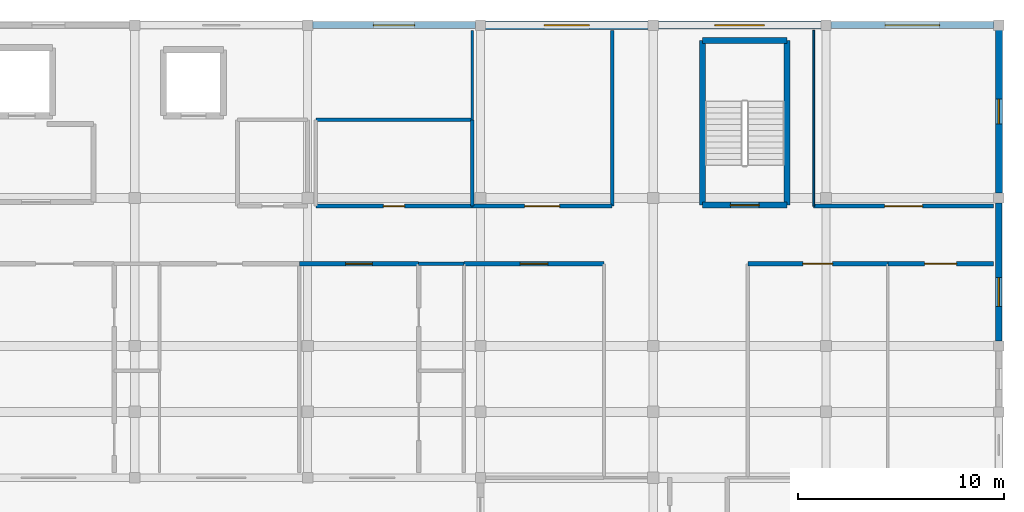
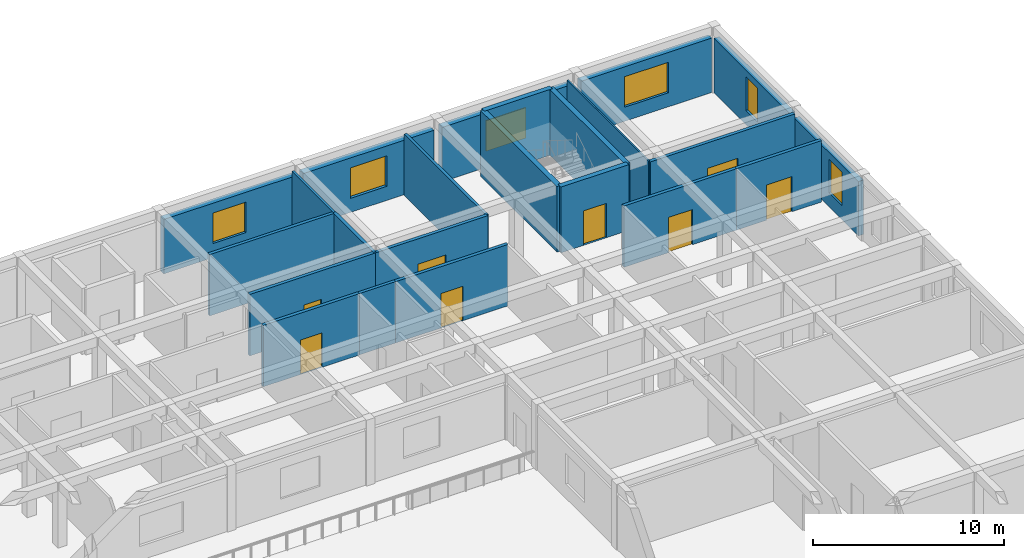
# One storey, part 20 of 28: 23 walls, 8 doors, 6 windows, 14 openings.
"""IFC4 building model written with IfcOpenShell, lengths in metres."""

from ifc_helpers import new_model, si_unit, direction, frame, frame_2d, origin, place, context, subcontext, project, spatial, rectangle, extrude, material, layer, layer_set, type_object, element, fill, save


model = new_model("IFC4")

# Units and contexts
model_context = context("Model", 3, precision=1e-05, world=origin(), true_north=direction((0.0, 1.0)))
body_context = subcontext(model_context, "Body", "Model", "MODEL_VIEW")
ifc_project = project(units=[si_unit("LENGTHUNIT", "METRE"), si_unit("AREAUNIT", "SQUARE_METRE"), si_unit("VOLUMEUNIT", "CUBIC_METRE"), si_unit("PLANEANGLEUNIT", "RADIAN"), si_unit("MASSUNIT", "GRAM", prefix="KILO")], contexts=[model_context])

# Site, building, storey
site_placement = place(None, origin())
site = spatial("IfcSite", under=ifc_project, at=site_placement, CompositionType="ELEMENT")
building_placement = place(site_placement, origin())
building = spatial("IfcBuilding", under=site, at=building_placement, Name="Varncliffe General Hospital", CompositionType="ELEMENT")
storey_placement = place(building_placement, frame((0.0, 0.0, 24.60009765625)))
storey = spatial("IfcBuildingStorey", under=building, at=storey_placement, Name="L05", CompositionType="ELEMENT", Elevation=24.60009765625)

# Wall, opening, window
ifc_material_1 = material(Name="Precast concrete C40/50 with insulated cream lime-cement stucco", Category="concrete")
ifc_layer_1 = layer(ifc_material_1, 0.31005859375)
ifc_layer_set_1 = layer_set([ifc_layer_1], Name="Precast concrete C40/50 with insulated cream lime-cement stucco")
wall_type_1 = type_object("IfcWallType", Name="Exterior Insulated Stucco Wall EW20 (310mm)", PredefinedType="SOLIDWALL", material=ifc_layer_set_1)
wall_1_placement = place(storey_placement, frame((176.39990234375, 116.152099609375, 0.0), z_axis=(0.0, 0.0, 1.0), x_axis=(0.0, -1.0, 0.0)))
wall_1 = element("IfcWall", 1, at=wall_1_placement, inside=storey, type_object=wall_type_1, Name="L05 Exterior Stucco Wall EW20-448", PredefinedType="SOLIDWALL", context=body_context, shape_type="SweptSolid", body=[
    extrude(rectangle(XDim=6.7041015625, YDim=0.31005859375, at=frame_2d((3.35205078125, 0.0))), origin(), (0.0, 0.0, 1.0), 3.47998046875),
])
opening_1_placement = place(wall_1_placement, frame((3.620849609375, 0.0, 0.89990234375)))
opening_1 = element("IfcOpeningElement", 2, at=opening_1_placement, cuts=wall_1, Name="Opening WN11", PredefinedType="OPENING", context=body_context, shape_type="SweptSolid", body=[
    extrude(rectangle(XDim=1.39990234375, YDim=2.14990234375, at=frame_2d((0.699951171875, 1.074951171875))), frame((0.0, 0.1650390625, 0.0), z_axis=(0.0, -1.0, 0.0), x_axis=(1.0, 0.0, 0.0)), (0.0, 0.0, 1.0), 0.330078125),
])
ifc_material_2 = material(Name="Triple low-E argon insulated vision glazing", Category="glass")
window_type_1 = type_object("IfcWindowType", Name="Triple-Glazed Hospital Window WN11 (1400x2150)", PartitioningType="SINGLE_PANEL", PredefinedType="WINDOW", material=ifc_material_2)
window_1_placement = place(opening_1_placement, origin())
window_1 = element("IfcWindow", 3, at=window_1_placement, inside=storey, type_object=window_type_1, Name="L05 Hospital Window WN11-342", OverallHeight=2.14990234375, OverallWidth=1.39990234375, PartitioningType="SINGLE_PANEL", PredefinedType="WINDOW", context=body_context, shape_type="SweptSolid", body=[
    extrude(rectangle(XDim=1.39990234375, YDim=2.14990234375, at=frame_2d((0.699951171875, 1.074951171875))), frame((0.0, 0.030029296875, 0.0), z_axis=(0.0, -1.0, 0.0), x_axis=(1.0, 0.0, 0.0)), (0.0, 0.0, 1.0), 0.06005859375),
])
fill(opening_1, window_1)

ifc_layer_2 = layer(ifc_material_1, 0.3798828125)
ifc_layer_set_2 = layer_set([ifc_layer_2], Name="Precast concrete C40/50 with insulated cream lime-cement stucco")
wall_type_2 = type_object("IfcWallType", Name="Exterior Insulated Stucco Wall EW26 (380mm)", PredefinedType="SOLIDWALL", material=ifc_layer_set_2)
wall_2_placement = place(storey_placement, frame((159.847900390625, 124.800048828125, 0.0), z_axis=(0.0, 0.0, 1.0), x_axis=(1.0, 0.0, 0.0)))
wall_2 = element("IfcWall", 4, at=wall_2_placement, inside=storey, type_object=wall_type_2, Name="L05 Exterior Stucco Wall EW26-445", PredefinedType="SOLIDWALL", context=body_context, shape_type="SweptSolid", body=[
    extrude(rectangle(XDim=7.904052734375, YDim=0.3798828125, at=frame_2d((3.9521484375, 0.0))), origin(), (0.0, 0.0, 1.0), 3.47998046875),
])
opening_2_placement = place(wall_2_placement, frame((2.751953125, 0.0, 0.89990234375)))
opening_2 = element("IfcOpeningElement", 5, at=opening_2_placement, cuts=wall_2, Name="Opening WN16", PredefinedType="OPENING", context=body_context, shape_type="SweptSolid", body=[
    extrude(rectangle(XDim=2.39990234375, YDim=1.949951171875, at=frame_2d((1.199951171875, 0.97509765625))), frame((0.0, 0.199951171875, 0.0), z_axis=(0.0, -1.0, 0.0), x_axis=(1.0, 0.0, 0.0)), (0.0, 0.0, 1.0), 0.39990234375),
])
window_type_2 = type_object("IfcWindowType", Name="Triple-Glazed Hospital Window WN16 (2400x1950)", PartitioningType="DOUBLE_PANEL_VERTICAL", PredefinedType="WINDOW", material=ifc_material_2)
window_2_placement = place(opening_2_placement, origin())
window_2 = element("IfcWindow", 6, at=window_2_placement, inside=storey, type_object=window_type_2, Name="L05 Hospital Window WN16-339", OverallHeight=1.949951171875, OverallWidth=2.39990234375, PartitioningType="DOUBLE_PANEL_VERTICAL", PredefinedType="WINDOW", context=body_context, shape_type="SweptSolid", body=[
    extrude(rectangle(XDim=2.39990234375, YDim=1.949951171875, at=frame_2d((1.199951171875, 0.97509765625))), frame((0.0, 0.030029296875, 0.0), z_axis=(0.0, -1.0, 0.0), x_axis=(1.0, 0.0, 0.0)), (0.0, 0.0, 1.0), 0.06005859375),
])
fill(opening_2, window_2)

ifc_layer_3 = layer(ifc_material_1, 0.330078125)
ifc_layer_set_3 = layer_set([ifc_layer_3], Name="Precast concrete C40/50 with insulated cream lime-cement stucco")
wall_type_3 = type_object("IfcWallType", Name="Exterior Insulated Stucco Wall EW33 (330mm)", PredefinedType="SOLIDWALL", material=ifc_layer_set_3)
wall_3_placement = place(storey_placement, frame((176.39990234375, 124.552001953125, 0.0), z_axis=(0.0, 0.0, 1.0), x_axis=(0.0, -1.0, 0.0)))
wall_3 = element("IfcWall", 7, at=wall_3_placement, inside=storey, type_object=wall_type_3, Name="L05 Exterior Stucco Wall EW33-447", PredefinedType="SOLIDWALL", context=body_context, shape_type="SweptSolid", body=[
    extrude(rectangle(XDim=7.904052734375, YDim=0.330078125, at=frame_2d((3.9521484375, 0.0))), origin(), (0.0, 0.0, 1.0), 3.47998046875),
])
opening_3_placement = place(wall_3_placement, frame((3.35205078125, 0.0, 0.89990234375)))
opening_3 = element("IfcOpeningElement", 8, at=opening_3_placement, cuts=wall_3, Name="Opening WN36", PredefinedType="OPENING", context=body_context, shape_type="SweptSolid", body=[
    extrude(rectangle(XDim=1.199951171875, YDim=2.14990234375, at=frame_2d((0.60009765625, 1.074951171875))), frame((0.0, 0.175048828125, 0.0), z_axis=(0.0, -1.0, 0.0), x_axis=(1.0, 0.0, 0.0)), (0.0, 0.0, 1.0), 0.35009765625),
])
window_type_3 = type_object("IfcWindowType", Name="Triple-Glazed Hospital Window WN36 (1200x2150)", PartitioningType="SINGLE_PANEL", PredefinedType="WINDOW", material=ifc_material_2)
window_3_placement = place(opening_3_placement, origin())
window_3 = element("IfcWindow", 9, at=window_3_placement, inside=storey, type_object=window_type_3, Name="L05 Hospital Window WN36-341", OverallHeight=2.14990234375, OverallWidth=1.199951171875, PartitioningType="SINGLE_PANEL", PredefinedType="WINDOW", context=body_context, shape_type="SweptSolid", body=[
    extrude(rectangle(XDim=1.199951171875, YDim=2.14990234375, at=frame_2d((0.60009765625, 1.074951171875))), frame((0.0, 0.030029296875, 0.0), z_axis=(0.0, -1.0, 0.0), x_axis=(1.0, 0.0, 0.0)), (0.0, 0.0, 1.0), 0.06005859375),
])
fill(opening_3, window_3)

ifc_layer_4 = layer(ifc_material_1, 0.35009765625)
ifc_layer_set_4 = layer_set([ifc_layer_4], Name="Precast concrete C40/50 with insulated cream lime-cement stucco")
wall_type_4 = type_object("IfcWallType", Name="Exterior Insulated Stucco Wall EW37 (350mm)", PredefinedType="SOLIDWALL", material=ifc_layer_set_4)
wall_4_placement = place(storey_placement, frame((143.048095703125, 124.800048828125, 0.0), z_axis=(0.0, 0.0, 1.0), x_axis=(1.0, 0.0, 0.0)))
wall_4 = element("IfcWall", 10, at=wall_4_placement, inside=storey, type_object=wall_type_4, Name="L05 Exterior Stucco Wall EW37-443", PredefinedType="SOLIDWALL", context=body_context, shape_type="SweptSolid", body=[
    extrude(rectangle(XDim=7.90380859375, YDim=0.35009765625, at=frame_2d((3.951904296875, 0.0))), origin(), (0.0, 0.0, 1.0), 3.47998046875),
])
opening_4_placement = place(wall_4_placement, frame((2.951904296875, 0.0, 0.89990234375)))
opening_4 = element("IfcOpeningElement", 11, at=opening_4_placement, cuts=wall_4, Name="Opening WN79", PredefinedType="OPENING", context=body_context, shape_type="SweptSolid", body=[
    extrude(rectangle(XDim=2.0, YDim=1.949951171875, at=frame_2d((1.0, 0.97509765625))), frame((0.0, 0.18505859375, 0.0), z_axis=(0.0, -1.0, 0.0), x_axis=(1.0, 0.0, 0.0)), (0.0, 0.0, 1.0), 0.3701171875),
])
window_type_4 = type_object("IfcWindowType", Name="Triple-Glazed Hospital Window WN79 (2000x1950)", PartitioningType="DOUBLE_PANEL_VERTICAL", PredefinedType="WINDOW", material=ifc_material_2)
window_4_placement = place(opening_4_placement, origin())
window_4 = element("IfcWindow", 12, at=window_4_placement, inside=storey, type_object=window_type_4, Name="L05 Hospital Window WN79-337", OverallHeight=1.949951171875, OverallWidth=2.0, PartitioningType="DOUBLE_PANEL_VERTICAL", PredefinedType="WINDOW", context=body_context, shape_type="SweptSolid", body=[
    extrude(rectangle(XDim=2.0, YDim=1.949951171875, at=frame_2d((1.0, 0.97509765625))), frame((0.0, 0.030029296875, 0.0), z_axis=(0.0, -1.0, 0.0), x_axis=(1.0, 0.0, 0.0)), (0.0, 0.0, 1.0), 0.06005859375),
])
fill(opening_4, window_4)

wall_5_placement = place(storey_placement, frame((168.248046875, 124.800048828125, 0.0), z_axis=(0.0, 0.0, 1.0), x_axis=(1.0, 0.0, 0.0)))
wall_5 = element("IfcWall", 13, at=wall_5_placement, inside=storey, type_object=wall_type_4, Name="L05 Exterior Stucco Wall EW37-446", PredefinedType="SOLIDWALL", context=body_context, shape_type="SweptSolid", body=[
    extrude(rectangle(XDim=7.904052734375, YDim=0.35009765625, at=frame_2d((3.9521484375, 0.0))), origin(), (0.0, 0.0, 1.0), 3.47998046875),
])
opening_5_placement = place(wall_5_placement, frame((2.626953125, 0.0, 0.89990234375)))
opening_5 = element("IfcOpeningElement", 14, at=opening_5_placement, cuts=wall_5, Name="Opening WN30", PredefinedType="OPENING", context=body_context, shape_type="SweptSolid", body=[
    extrude(rectangle(XDim=2.64990234375, YDim=1.949951171875, at=frame_2d((1.324951171875, 0.97509765625))), frame((0.0, 0.18505859375, 0.0), z_axis=(0.0, -1.0, 0.0), x_axis=(1.0, 0.0, 0.0)), (0.0, 0.0, 1.0), 0.3701171875),
])
window_type_5 = type_object("IfcWindowType", Name="Triple-Glazed Hospital Window WN30 (2650x1950)", PartitioningType="DOUBLE_PANEL_VERTICAL", PredefinedType="WINDOW", material=ifc_material_2)
window_5_placement = place(opening_5_placement, origin())
window_5 = element("IfcWindow", 15, at=window_5_placement, inside=storey, type_object=window_type_5, Name="L05 Hospital Window WN30-340", OverallHeight=1.949951171875, OverallWidth=2.64990234375, PartitioningType="DOUBLE_PANEL_VERTICAL", PredefinedType="WINDOW", context=body_context, shape_type="SweptSolid", body=[
    extrude(rectangle(XDim=2.64990234375, YDim=1.949951171875, at=frame_2d((1.324951171875, 0.97509765625))), frame((0.0, 0.030029296875, 0.0), z_axis=(0.0, -1.0, 0.0), x_axis=(1.0, 0.0, 0.0)), (0.0, 0.0, 1.0), 0.06005859375),
])
fill(opening_5, window_5)

ifc_layer_5 = layer(ifc_material_1, 0.39990234375)
ifc_layer_set_5 = layer_set([ifc_layer_5], Name="Precast concrete C40/50 with insulated cream lime-cement stucco")
wall_type_5 = type_object("IfcWallType", Name="Exterior Insulated Stucco Wall EW47 (400mm)", PredefinedType="SOLIDWALL", material=ifc_layer_set_5)
wall_6_placement = place(storey_placement, frame((151.447998046875, 124.800048828125, 0.0), z_axis=(0.0, 0.0, 1.0), x_axis=(1.0, 0.0, 0.0)))
wall_6 = element("IfcWall", 16, at=wall_6_placement, inside=storey, type_object=wall_type_5, Name="L05 Exterior Stucco Wall EW47-444", PredefinedType="SOLIDWALL", context=body_context, shape_type="SweptSolid", body=[
    extrude(rectangle(XDim=7.904052734375, YDim=0.39990234375, at=frame_2d((3.9521484375, 0.0))), origin(), (0.0, 0.0, 1.0), 3.47998046875),
])
opening_6_placement = place(wall_6_placement, frame((2.85205078125, 0.0, 0.89990234375)))
opening_6 = element("IfcOpeningElement", 17, at=opening_6_placement, cuts=wall_6, Name="Opening WN35", PredefinedType="OPENING", context=body_context, shape_type="SweptSolid", body=[
    extrude(rectangle(XDim=2.199951171875, YDim=1.949951171875, at=frame_2d((1.10009765625, 0.97509765625))), frame((0.0, 0.2099609375, 0.0), z_axis=(0.0, -1.0, 0.0), x_axis=(1.0, 0.0, 0.0)), (0.0, 0.0, 1.0), 0.419921875),
])
window_type_6 = type_object("IfcWindowType", Name="Triple-Glazed Hospital Window WN35 (2200x1950)", PartitioningType="DOUBLE_PANEL_VERTICAL", PredefinedType="WINDOW", material=ifc_material_2)
window_6_placement = place(opening_6_placement, origin())
window_6 = element("IfcWindow", 18, at=window_6_placement, inside=storey, type_object=window_type_6, Name="L05 Hospital Window WN35-338", OverallHeight=1.949951171875, OverallWidth=2.199951171875, PartitioningType="DOUBLE_PANEL_VERTICAL", PredefinedType="WINDOW", context=body_context, shape_type="SweptSolid", body=[
    extrude(rectangle(XDim=2.199951171875, YDim=1.949951171875, at=frame_2d((1.10009765625, 0.97509765625))), frame((0.0, 0.030029296875, 0.0), z_axis=(0.0, -1.0, 0.0), x_axis=(1.0, 0.0, 0.0)), (0.0, 0.0, 1.0), 0.06005859375),
])
fill(opening_6, window_6)

# Walls
ifc_material_3 = material(Name="Acoustic clinical gypsum stud partition assembly", Category="gypsum")
ifc_layer_6 = layer(ifc_material_3, 0.1298828125)
ifc_layer_set_6 = layer_set([ifc_layer_6], Name="Acoustic clinical gypsum stud partition assembly")
wall_type_6 = type_object("IfcWallType", Name="Interior Partitioning IW11 (130mm)", PredefinedType="PARTITIONING", material=ifc_layer_set_6)
wall_7_placement = place(storey_placement, frame((150.800048828125, 120.199951171875, 0.0), z_axis=(0.0, 0.0, 1.0), x_axis=(0.0, 1.0, 0.0)))
element("IfcWall", 19, at=wall_7_placement, inside=storey, type_object=wall_type_6, Name="L05 Interior Partition Wall IW11-2163", PredefinedType="PARTITIONING", context=body_context, shape_type="SweptSolid", body=[
    extrude(rectangle(XDim=4.340087890625, YDim=0.1298828125, at=frame_2d((2.169921875, 0.0))), origin(), (0.0, 0.0, 1.0), 3.919921875),
])
ifc_layer_7 = layer(ifc_material_3, 0.169921875)
ifc_layer_set_7 = layer_set([ifc_layer_7], Name="Acoustic clinical gypsum stud partition assembly")
wall_type_7 = type_object("IfcWallType", Name="Interior Partitioning IW20 (170mm)", PredefinedType="PARTITIONING", material=ifc_layer_set_7)
wall_8_placement = place(storey_placement, frame((157.60009765625, 116.0, 0.0), z_axis=(0.0, 0.0, 1.0), x_axis=(0.0, 1.0, 0.0)))
element("IfcWall", 20, at=wall_8_placement, inside=storey, type_object=wall_type_7, Name="L05 Interior Partition Wall IW20-2165", PredefinedType="PARTITIONING", context=body_context, shape_type="SweptSolid", body=[
    extrude(rectangle(XDim=8.5400390625, YDim=0.169921875, at=frame_2d((4.27001953125, 0.0))), origin(), (0.0, 0.0, 1.0), 3.919921875),
])
ifc_layer_8 = layer(ifc_material_3, 0.090087890625)
ifc_layer_set_8 = layer_set([ifc_layer_8], Name="Acoustic clinical gypsum stud partition assembly")
wall_type_8 = type_object("IfcWallType", Name="Interior Partitioning IW42 (90mm)", PredefinedType="PARTITIONING", material=ifc_layer_set_8)
wall_9_placement = place(storey_placement, frame((167.39990234375, 116.0, 0.0), z_axis=(0.0, 0.0, 1.0), x_axis=(0.0, 1.0, 0.0)))
element("IfcWall", 21, at=wall_9_placement, inside=storey, type_object=wall_type_8, Name="L05 Interior Partition Wall IW42-2191", PredefinedType="PARTITIONING", context=body_context, shape_type="SweptSolid", body=[
    extrude(rectangle(XDim=8.5400390625, YDim=0.090087890625, at=frame_2d((4.27001953125, 0.0))), origin(), (0.0, 0.0, 1.0), 3.919921875),
])

# Wall, opening, door
ifc_material_4 = material(Name="Fire-rated gypsum and mineral-wool partition assembly", Category="gypsum")
ifc_layer_9 = layer(ifc_material_4, 0.199951171875)
ifc_layer_set_9 = layer_set([ifc_layer_9], Name="Fire-rated gypsum and mineral-wool partition assembly")
wall_type_9 = type_object("IfcWallType", Name="Interior Partitioning PW63 (200mm)", PredefinedType="PARTITIONING", material=ifc_layer_set_9)
wall_10_placement = place(storey_placement, frame((142.39990234375, 113.199951171875, 0.0), z_axis=(0.0, 0.0, 1.0), x_axis=(1.0, 0.0, 0.0)))
wall_10 = element("IfcWall", 22, at=wall_10_placement, inside=storey, type_object=wall_type_9, Name="L05 Interior Partition Wall PW63-2065", PredefinedType="PARTITIONING", context=body_context, shape_type="SweptSolid", body=[
    extrude(rectangle(XDim=5.800048828125, YDim=0.199951171875, at=frame_2d((2.89990234375, 0.0))), origin(), (0.0, 0.0, 1.0), 3.919921875),
])
opening_7_placement = place(wall_10_placement, frame((2.25, 0.0, 0.0)))
opening_7 = element("IfcOpeningElement", 23, at=opening_7_placement, cuts=wall_10, Name="Opening DC88", PredefinedType="OPENING", context=body_context, shape_type="SweptSolid", body=[
    extrude(rectangle(XDim=1.300048828125, YDim=2.199951171875, at=frame_2d((0.64990234375, 1.10009765625))), frame((0.0, 0.10986328125, 0.0), z_axis=(0.0, -1.0, 0.0), x_axis=(1.0, 0.0, 0.0)), (0.0, 0.0, 1.0), 0.219970703125),
])
ifc_material_5 = material(Name="Fire-rated hospital steel-frame vision-panel door", Category="steel")
door_type_1 = type_object("IfcDoorType", Name="Interior Hospital Door DC88 (1300x2200)", OperationType="NOTDEFINED", PredefinedType="DOOR", material=ifc_material_5)
door_1_placement = place(opening_7_placement, frame((1.300048828125, 0.0, 0.0), z_axis=(0.0, 0.0, 1.0), x_axis=(-1.0, 0.0, 0.0)))
door_1 = element("IfcDoor", 24, at=door_1_placement, inside=storey, type_object=door_type_1, Name="L05 Maternity Birthing and Postpartum Suite 68 Door", OperationType="SINGLE_SWING_LEFT", OverallHeight=2.199951171875, OverallWidth=1.300048828125, PredefinedType="DOOR", context=body_context, shape_type="SweptSolid", body=[
    extrude(rectangle(XDim=1.300048828125, YDim=2.199951171875, at=frame_2d((0.64990234375, 1.10009765625))), frame((0.0, 0.02490234375, 0.0), z_axis=(0.0, -1.0, 0.0), x_axis=(1.0, 0.0, 0.0)), (0.0, 0.0, 1.0), 0.050048828125),
])
fill(opening_7, door_1)

wall_11_placement = place(storey_placement, frame((150.39990234375, 113.199951171875, 0.0), z_axis=(0.0, 0.0, 1.0), x_axis=(1.0, 0.0, 0.0)))
wall_11 = element("IfcWall", 25, at=wall_11_placement, inside=storey, type_object=wall_type_9, Name="L05 Interior Partition Wall PW63-2067", PredefinedType="PARTITIONING", context=body_context, shape_type="SweptSolid", body=[
    extrude(rectangle(XDim=6.800048828125, YDim=0.199951171875, at=frame_2d((3.39990234375, 0.0))), origin(), (0.0, 0.0, 1.0), 3.919921875),
])
opening_8_placement = place(wall_11_placement, frame((2.72509765625, 0.0, 0.0)))
opening_8 = element("IfcOpeningElement", 26, at=opening_8_placement, cuts=wall_11, Name="Opening DC85", PredefinedType="OPENING", context=body_context, shape_type="SweptSolid", body=[
    extrude(rectangle(XDim=1.35009765625, YDim=2.199951171875, at=frame_2d((0.675048828125, 1.10009765625))), frame((0.0, 0.10986328125, 0.0), z_axis=(0.0, -1.0, 0.0), x_axis=(1.0, 0.0, 0.0)), (0.0, 0.0, 1.0), 0.219970703125),
])
door_type_2 = type_object("IfcDoorType", Name="Interior Hospital Door DC85 (1350x2200)", OperationType="NOTDEFINED", PredefinedType="DOOR", material=ifc_material_5)
door_2_placement = place(opening_8_placement, frame((1.35009765625, 0.0, 0.0), z_axis=(0.0, 0.0, 1.0), x_axis=(-1.0, 0.0, 0.0)))
door_2 = element("IfcDoor", 27, at=door_2_placement, inside=storey, type_object=door_type_2, Name="L05 Family Waiting Lounge and Terrace Vestibule 71 Door", OperationType="SINGLE_SWING_RIGHT", OverallHeight=2.199951171875, OverallWidth=1.35009765625, PredefinedType="DOOR", context=body_context, shape_type="SweptSolid", body=[
    extrude(rectangle(XDim=1.35009765625, YDim=2.199951171875, at=frame_2d((0.675048828125, 1.10009765625))), frame((0.0, 0.02490234375, 0.0), z_axis=(0.0, -1.0, 0.0), x_axis=(1.0, 0.0, 0.0)), (0.0, 0.0, 1.0), 0.050048828125),
])
fill(opening_8, door_2)

wall_12_placement = place(storey_placement, frame((164.199951171875, 113.199951171875, 0.0), z_axis=(0.0, 0.0, 1.0), x_axis=(1.0, 0.0, 0.0)))
wall_12 = element("IfcWall", 28, at=wall_12_placement, inside=storey, type_object=wall_type_9, Name="L05 Interior Partition Wall PW63-2068", PredefinedType="PARTITIONING", context=body_context, shape_type="SweptSolid", body=[
    extrude(rectangle(XDim=6.800048828125, YDim=0.199951171875, at=frame_2d((3.39990234375, 0.0))), origin(), (0.0, 0.0, 1.0), 3.919921875),
])
opening_9_placement = place(wall_12_placement, frame((2.675048828125, 0.0, 0.0)))
opening_9 = element("IfcOpeningElement", 29, at=opening_9_placement, cuts=wall_12, Name="Opening DC66", PredefinedType="OPENING", context=body_context, shape_type="SweptSolid", body=[
    extrude(rectangle(XDim=1.449951171875, YDim=2.25, at=frame_2d((0.72509765625, 1.125))), frame((0.0, 0.10986328125, 0.0), z_axis=(0.0, -1.0, 0.0), x_axis=(1.0, 0.0, 0.0)), (0.0, 0.0, 1.0), 0.219970703125),
])
door_type_3 = type_object("IfcDoorType", Name="Interior Hospital Door DC66 (1450x2250)", OperationType="NOTDEFINED", PredefinedType="DOOR", material=ifc_material_5)
door_3_placement = place(opening_9_placement, frame((1.449951171875, 0.0, 0.0), z_axis=(0.0, 0.0, 1.0), x_axis=(-1.0, 0.0, 0.0)))
door_3 = element("IfcDoor", 30, at=door_3_placement, inside=storey, type_object=door_type_3, Name="L05 Family Waiting Lounge and Terrace Vestibule 72 Door", OperationType="SINGLE_SWING_LEFT", OverallHeight=2.25, OverallWidth=1.449951171875, PredefinedType="DOOR", context=body_context, shape_type="SweptSolid", body=[
    extrude(rectangle(XDim=1.449951171875, YDim=2.25, at=frame_2d((0.72509765625, 1.125))), frame((0.0, 0.02490234375, 0.0), z_axis=(0.0, -1.0, 0.0), x_axis=(1.0, 0.0, 0.0)), (0.0, 0.0, 1.0), 0.050048828125),
])
fill(opening_9, door_3)

wall_13_placement = place(storey_placement, frame((171.0, 113.199951171875, 0.0), z_axis=(0.0, 0.0, 1.0), x_axis=(1.0, 0.0, 0.0)))
wall_13 = element("IfcWall", 31, at=wall_13_placement, inside=storey, type_object=wall_type_9, Name="L05 Interior Partition Wall PW63-2069", PredefinedType="PARTITIONING", context=body_context, shape_type="SweptSolid", body=[
    extrude(rectangle(XDim=5.139892578125, YDim=0.199951171875, at=frame_2d((2.56982421875, 0.0))), origin(), (0.0, 0.0, 1.0), 3.919921875),
])
opening_10_placement = place(wall_13_placement, frame((1.794921875, 0.0, 0.0)))
opening_10 = element("IfcOpeningElement", 32, at=opening_10_placement, cuts=wall_13, Name="Opening DC67", PredefinedType="OPENING", context=body_context, shape_type="SweptSolid", body=[
    extrude(rectangle(XDim=1.550048828125, YDim=2.25, at=frame_2d((0.77490234375, 1.125))), frame((0.0, 0.10986328125, 0.0), z_axis=(0.0, -1.0, 0.0), x_axis=(1.0, 0.0, 0.0)), (0.0, 0.0, 1.0), 0.219970703125),
])
door_type_4 = type_object("IfcDoorType", Name="Interior Hospital Door DC67 (1550x2250)", OperationType="NOTDEFINED", PredefinedType="DOOR", material=ifc_material_5)
door_4_placement = place(opening_10_placement, frame((1.550048828125, 0.0, 0.0), z_axis=(0.0, 0.0, 1.0), x_axis=(-1.0, 0.0, 0.0)))
door_4 = element("IfcDoor", 33, at=door_4_placement, inside=storey, type_object=door_type_4, Name="L05 Maternity Birthing and Postpartum Suite 73 Door", OperationType="SINGLE_SWING_RIGHT", OverallHeight=2.25, OverallWidth=1.550048828125, PredefinedType="DOOR", context=body_context, shape_type="SweptSolid", body=[
    extrude(rectangle(XDim=1.550048828125, YDim=2.25, at=frame_2d((0.77490234375, 1.125))), frame((0.0, 0.02490234375, 0.0), z_axis=(0.0, -1.0, 0.0), x_axis=(1.0, 0.0, 0.0)), (0.0, 0.0, 1.0), 0.050048828125),
])
fill(opening_10, door_4)

wall_14_placement = place(storey_placement, frame((143.199951171875, 116.0, 0.0), z_axis=(0.0, 0.0, 1.0), x_axis=(1.0, 0.0, 0.0)))
wall_14 = element("IfcWall", 34, at=wall_14_placement, inside=storey, type_object=wall_type_9, Name="L05 Interior Partition Wall PW63-2079", PredefinedType="PARTITIONING", context=body_context, shape_type="SweptSolid", body=[
    extrude(rectangle(XDim=7.60009765625, YDim=0.199951171875, at=frame_2d((3.800048828125, 0.0))), origin(), (0.0, 0.0, 1.0), 3.919921875),
])
opening_11_placement = place(wall_14_placement, frame((3.280029296875, 0.0, 0.0)))
opening_11 = element("IfcOpeningElement", 35, at=opening_11_placement, cuts=wall_14, Name="Opening DI77", PredefinedType="OPENING", context=body_context, shape_type="SweptSolid", body=[
    extrude(rectangle(XDim=1.0400390625, YDim=2.10009765625, at=frame_2d((0.52001953125, 1.050048828125))), frame((0.0, 0.10986328125, 0.0), z_axis=(0.0, -1.0, 0.0), x_axis=(1.0, 0.0, 0.0)), (0.0, 0.0, 1.0), 0.219970703125),
])
ifc_material_6 = material(Name="Solid-core antimicrobial hospital oak veneer door", Category="wood")
door_type_5 = type_object("IfcDoorType", Name="Interior Hospital Door DI77 (1040x2100)", OperationType="NOTDEFINED", PredefinedType="DOOR", material=ifc_material_6)
door_5_placement = place(opening_11_placement, origin())
door_5 = element("IfcDoor", 36, at=door_5_placement, inside=storey, type_object=door_type_5, Name="L05 Staff and Visitor WC L05-NE Door", OperationType="SINGLE_SWING_LEFT", OverallHeight=2.10009765625, OverallWidth=1.0400390625, PredefinedType="DOOR", context=body_context, shape_type="SweptSolid", body=[
    extrude(rectangle(XDim=1.0400390625, YDim=2.10009765625, at=frame_2d((0.52001953125, 1.050048828125))), frame((0.0, 0.02490234375, 0.0), z_axis=(0.0, -1.0, 0.0), x_axis=(1.0, 0.0, 0.0)), (0.0, 0.0, 1.0), 0.050048828125),
])
fill(opening_11, door_5)

wall_15_placement = place(storey_placement, frame((150.800048828125, 116.0, 0.0), z_axis=(0.0, 0.0, 1.0), x_axis=(1.0, 0.0, 0.0)))
wall_15 = element("IfcWall", 37, at=wall_15_placement, inside=storey, type_object=wall_type_9, Name="L05 Interior Partition Wall PW63-2080", PredefinedType="PARTITIONING", context=body_context, shape_type="SweptSolid", body=[
    extrude(rectangle(XDim=6.800048828125, YDim=0.199951171875, at=frame_2d((3.39990234375, 0.0))), origin(), (0.0, 0.0, 1.0), 3.919921875),
])
opening_12_placement = place(wall_15_placement, frame((2.550048828125, 0.0, 0.0)))
opening_12 = element("IfcOpeningElement", 38, at=opening_12_placement, cuts=wall_15, Name="Opening DC50", PredefinedType="OPENING", context=body_context, shape_type="SweptSolid", body=[
    extrude(rectangle(XDim=1.699951171875, YDim=2.300048828125, at=frame_2d((0.85009765625, 1.14990234375))), frame((0.0, 0.10986328125, 0.0), z_axis=(0.0, -1.0, 0.0), x_axis=(1.0, 0.0, 0.0)), (0.0, 0.0, 1.0), 0.219970703125),
])
door_type_6 = type_object("IfcDoorType", Name="Interior Hospital Door DC50 (1700x2300)", OperationType="NOTDEFINED", PredefinedType="DOOR", material=ifc_material_5)
door_6_placement = place(opening_12_placement, origin())
door_6 = element("IfcDoor", 39, at=door_6_placement, inside=storey, type_object=door_type_6, Name="L05 Family Waiting Lounge and Terrace Vestibule 83 Door", OperationType="SINGLE_SWING_RIGHT", OverallHeight=2.300048828125, OverallWidth=1.699951171875, PredefinedType="DOOR", context=body_context, shape_type="SweptSolid", body=[
    extrude(rectangle(XDim=1.699951171875, YDim=2.300048828125, at=frame_2d((0.85009765625, 1.14990234375))), frame((0.0, 0.02490234375, 0.0), z_axis=(0.0, -1.0, 0.0), x_axis=(1.0, 0.0, 0.0)), (0.0, 0.0, 1.0), 0.050048828125),
])
fill(opening_12, door_6)

wall_16_placement = place(storey_placement, frame((167.39990234375, 116.0, 0.0), z_axis=(0.0, 0.0, 1.0), x_axis=(1.0, 0.0, 0.0)))
wall_16 = element("IfcWall", 40, at=wall_16_placement, inside=storey, type_object=wall_type_9, Name="L05 Interior Partition Wall PW63-2081", PredefinedType="PARTITIONING", context=body_context, shape_type="SweptSolid", body=[
    extrude(rectangle(XDim=8.739990234375, YDim=0.199951171875, at=frame_2d((4.3701171875, 0.0))), origin(), (0.0, 0.0, 1.0), 3.919921875),
])
opening_13_placement = place(wall_16_placement, frame((3.445068359375, 0.0, 0.0)))
opening_13 = element("IfcOpeningElement", 41, at=opening_13_placement, cuts=wall_16, Name="Opening DC38", PredefinedType="OPENING", context=body_context, shape_type="SweptSolid", body=[
    extrude(rectangle(XDim=1.85009765625, YDim=2.300048828125, at=frame_2d((0.925048828125, 1.14990234375))), frame((0.0, 0.10986328125, 0.0), z_axis=(0.0, -1.0, 0.0), x_axis=(1.0, 0.0, 0.0)), (0.0, 0.0, 1.0), 0.219970703125),
])
door_type_7 = type_object("IfcDoorType", Name="Interior Hospital Door DC38 (1850x2300)", OperationType="NOTDEFINED", PredefinedType="DOOR", material=ifc_material_5)
door_7_placement = place(opening_13_placement, origin())
door_7 = element("IfcDoor", 42, at=door_7_placement, inside=storey, type_object=door_type_7, Name="L05 Family Waiting Lounge and Terrace Vestibule 84 Door", OperationType="SINGLE_SWING_LEFT", OverallHeight=2.300048828125, OverallWidth=1.85009765625, PredefinedType="DOOR", context=body_context, shape_type="SweptSolid", body=[
    extrude(rectangle(XDim=1.85009765625, YDim=2.300048828125, at=frame_2d((0.925048828125, 1.14990234375))), frame((0.0, 0.02490234375, 0.0), z_axis=(0.0, -1.0, 0.0), x_axis=(1.0, 0.0, 0.0)), (0.0, 0.0, 1.0), 0.050048828125),
])
fill(opening_13, door_7)

# Walls
ifc_material_7 = material(Name="Moisture-resistant plumbing chase wall assembly", Category="gypsum")
ifc_layer_10 = layer(ifc_material_7, 0.18994140625)
ifc_layer_set_10 = layer_set([ifc_layer_10], Name="Moisture-resistant plumbing chase wall assembly")
wall_type_10 = type_object("IfcWallType", Name="Interior Plumbingwall MW17 (190mm)", PredefinedType="PLUMBINGWALL", material=ifc_layer_set_10)
wall_17_placement = place(storey_placement, frame((148.199951171875, 113.199951171875, 0.0), z_axis=(0.0, 0.0, 1.0), x_axis=(1.0, 0.0, 0.0)))
element("IfcWall", 43, at=wall_17_placement, inside=storey, type_object=wall_type_10, Name="L05 Interior Plumbing Wall MW17-2066", PredefinedType="PLUMBINGWALL", context=body_context, shape_type="SweptSolid", body=[
    extrude(rectangle(XDim=2.199951171875, YDim=0.18994140625, at=frame_2d((1.10009765625, 0.0))), origin(), (0.0, 0.0, 1.0), 3.919921875),
])
wall_18_placement = place(storey_placement, frame((143.199951171875, 120.199951171875, 0.0), z_axis=(0.0, 0.0, 1.0), x_axis=(1.0, 0.0, 0.0)))
element("IfcWall", 44, at=wall_18_placement, inside=storey, type_object=wall_type_10, Name="L05 Interior Plumbing Wall MW17-2094", PredefinedType="PLUMBINGWALL", context=body_context, shape_type="SweptSolid", body=[
    extrude(rectangle(XDim=7.60009765625, YDim=0.18994140625, at=frame_2d((3.800048828125, 0.0))), origin(), (0.0, 0.0, 1.0), 3.919921875),
])
wall_19_placement = place(storey_placement, frame((150.800048828125, 116.0, 0.0), z_axis=(0.0, 0.0, 1.0), x_axis=(0.0, 1.0, 0.0)))
element("IfcWall", 45, at=wall_19_placement, inside=storey, type_object=wall_type_10, Name="L05 Interior Plumbing Wall MW17-2162", PredefinedType="PLUMBINGWALL", context=body_context, shape_type="SweptSolid", body=[
    extrude(rectangle(XDim=4.199951171875, YDim=0.18994140625, at=frame_2d((2.10009765625, 0.0))), origin(), (0.0, 0.0, 1.0), 3.919921875),
])
ifc_material_8 = material(Name="Concrete C40/50 (CSA A23.1 40 MPa)", Category="concrete")
ifc_layer_11 = layer(ifc_material_8, 0.300048828125)
ifc_layer_set_11 = layer_set([ifc_layer_11], Name="Concrete C40/50 (CSA A23.1 40 MPa)")
wall_type_11 = type_object("IfcWallType", Name="Reinforced Concrete Core Shear Wall CW12 (300mm)", PredefinedType="SHEAR", material=ifc_layer_set_11)
wall_20_placement = place(storey_placement, frame((166.10009765625, 116.050048828125, 0.0), z_axis=(0.0, 0.0, 1.0), x_axis=(0.0, 1.0, 0.0)))
element("IfcWall", 46, at=wall_20_placement, inside=storey, type_object=wall_type_11, Name="L05 ST04 Core Shear Wall L", PredefinedType="SHEAR", context=body_context, shape_type="SweptSolid", body=[
    extrude(rectangle(XDim=8.0, YDim=0.300048828125, at=frame_2d((4.0, 0.0))), origin(), (0.0, 0.0, 1.0), 4.199951171875),
])
wall_21_placement = place(storey_placement, frame((166.10009765625, 124.050048828125, 0.0), z_axis=(0.0, 0.0, 1.0), x_axis=(-1.0, 0.0, 0.0)))
element("IfcWall", 47, at=wall_21_placement, inside=storey, type_object=wall_type_11, Name="L05 ST04 Core Shear Wall F", PredefinedType="SHEAR", context=body_context, shape_type="SweptSolid", body=[
    extrude(rectangle(XDim=4.10009765625, YDim=0.300048828125, at=frame_2d((2.050048828125, 0.0))), origin(), (0.0, 0.0, 1.0), 4.199951171875),
])
wall_22_placement = place(storey_placement, frame((162.0, 124.050048828125, 0.0), z_axis=(0.0, 0.0, 1.0), x_axis=(0.0, -1.0, 0.0)))
element("IfcWall", 48, at=wall_22_placement, inside=storey, type_object=wall_type_11, Name="L05 ST04 Core Shear Wall R", PredefinedType="SHEAR", context=body_context, shape_type="SweptSolid", body=[
    extrude(rectangle(XDim=8.0, YDim=0.300048828125, at=frame_2d((4.0, 0.0))), origin(), (0.0, 0.0, 1.0), 4.199951171875),
])

# Wall, opening, door
wall_23_placement = place(storey_placement, frame((162.0, 116.050048828125, 0.0), z_axis=(0.0, 0.0, 1.0), x_axis=(1.0, 0.0, 0.0)))
wall_23 = element("IfcWall", 49, at=wall_23_placement, inside=storey, type_object=wall_type_11, Name="L05 ST04 Core Shear Wall N", PredefinedType="SHEAR", context=body_context, shape_type="SweptSolid", body=[
    extrude(rectangle(XDim=4.10009765625, YDim=0.300048828125, at=frame_2d((2.050048828125, 0.0))), origin(), (0.0, 0.0, 1.0), 4.199951171875),
])
opening_14_placement = place(wall_23_placement, frame((1.35009765625, 0.0, 0.0)))
opening_14 = element("IfcOpeningElement", 50, at=opening_14_placement, cuts=wall_23, Name="Opening DF81", PredefinedType="OPENING", context=body_context, shape_type="SweptSolid", body=[
    extrude(rectangle(XDim=1.39990234375, YDim=2.199951171875, at=frame_2d((0.699951171875, 1.10009765625))), frame((0.0, 0.16015625, 0.0), z_axis=(0.0, -1.0, 0.0), x_axis=(1.0, 0.0, 0.0)), (0.0, 0.0, 1.0), 0.320068359375),
])
door_type_8 = type_object("IfcDoorType", Name="Interior Hospital Door DF81 (1400x2200)", OperationType="NOTDEFINED", PredefinedType="DOOR", material=ifc_material_5)
door_8_placement = place(opening_14_placement, frame((1.39990234375, 0.0, 0.0), z_axis=(0.0, 0.0, 1.0), x_axis=(-1.0, 0.0, 0.0)))
door_8 = element("IfcDoor", 51, at=door_8_placement, inside=storey, type_object=door_type_8, Name="L05 ST04 Protected Exit Stair Door", OperationType="SINGLE_SWING_RIGHT", OverallHeight=2.199951171875, OverallWidth=1.39990234375, PredefinedType="DOOR", context=body_context, shape_type="SweptSolid", body=[
    extrude(rectangle(XDim=1.39990234375, YDim=2.199951171875, at=frame_2d((0.699951171875, 1.10009765625))), frame((0.0, 0.02490234375, 0.0), z_axis=(0.0, -1.0, 0.0), x_axis=(1.0, 0.0, 0.0)), (0.0, 0.0, 1.0), 0.050048828125),
])
fill(opening_14, door_8)

save(model, "model.ifc")
